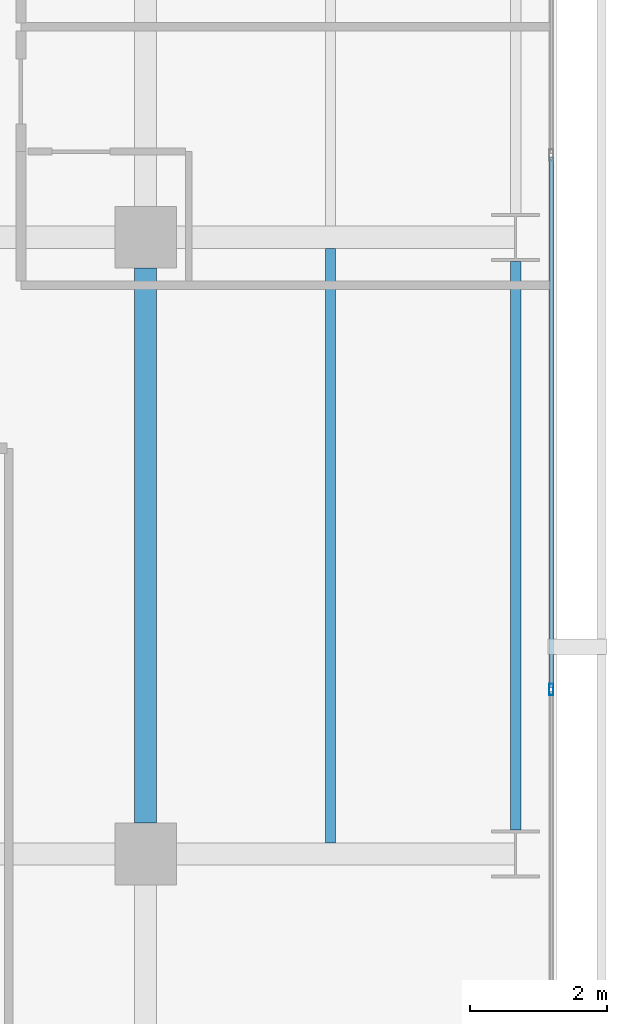
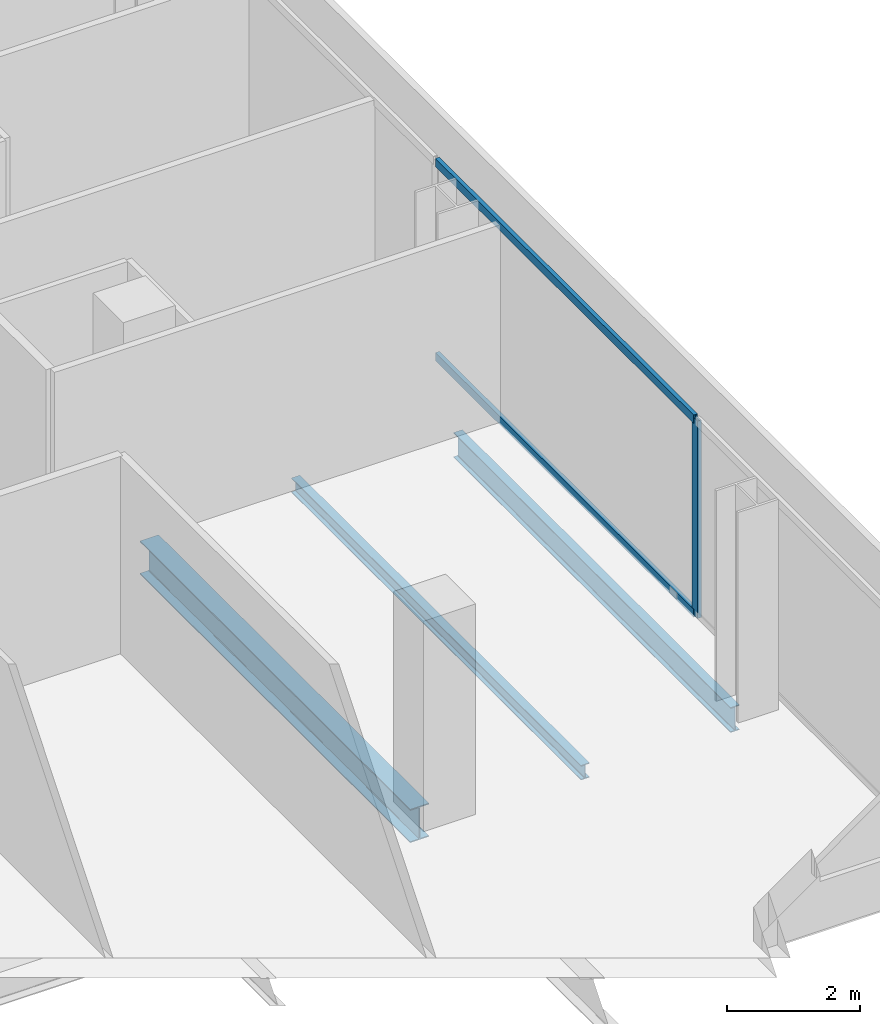
# One storey, part 17 of 40: 3 beams, 3 members, 1 element without a shape of its own.
"""IFC4 building model written with IfcOpenShell, lengths in metres."""

from ifc_helpers import new_model, si_unit, direction, frame, origin, origin_2d, place, context, subcontext, project, spatial, hollow_rectangle, i_section, extrude, material, layer, layer_set, material_profile, profile_set, type_object, element, aggregate, save


model = new_model("IFC4")

# Units and contexts
model_context = context("Model", 3, precision=1e-05, world=origin(), true_north=direction((0.0, 1.0)))
body_context = subcontext(model_context, "Body", "Model", "MODEL_VIEW")
ifc_project = project(units=[si_unit("LENGTHUNIT", "METRE"), si_unit("AREAUNIT", "SQUARE_METRE"), si_unit("VOLUMEUNIT", "CUBIC_METRE"), si_unit("PLANEANGLEUNIT", "RADIAN"), si_unit("MASSUNIT", "GRAM", prefix="KILO")], contexts=[model_context])

# Site, building, storey
site_placement = place(None, origin())
site = spatial("IfcSite", under=ifc_project, at=site_placement, CompositionType="ELEMENT")
building_placement = place(site_placement, origin())
building = spatial("IfcBuilding", under=site, at=building_placement, Name="Maruvema Waterfront Hotel and Observation Tower", CompositionType="ELEMENT")
storey_placement = place(building_placement, frame((0.0, 0.0, 103.949951171875)))
storey = spatial("IfcBuildingStorey", under=building, at=storey_placement, Name="L25", CompositionType="ELEMENT", Elevation=103.949951171875)

# Curtain wall, members
ifc_material_1 = material(Name="Anodised bronze aluminium and solar-control low-E IGU", Category="aluminium")
ifc_layer = layer(ifc_material_1, 0.159912109375, Name="Zone 1 Bronze Inner Thermal Curtain Wall System CW-02")
ifc_layer_set = layer_set([ifc_layer], Name="Anodised bronze aluminium and solar-control low-E IGU")
curtain_wall_type = type_object("IfcCurtainWallType", Name="Zone 1 Bronze Inner Thermal Curtain Wall System CW-02", PredefinedType="USERDEFINED", material=ifc_layer_set)
curtain_wall_placement = place(storey_placement, origin())
curtain_wall = element("IfcCurtainWall", 1, at=curtain_wall_placement, inside=storey, type_object=curtain_wall_type, Name="L25 Curtain Wall CW-L25-E", ObjectType="UNITISED CURTAIN WALL", PredefinedType="USERDEFINED")
ifc_material_2 = material(Name="Anodised architectural bronze aluminium", Category="aluminium")
ifc_material_profile_1 = material_profile(ifc_material_2, hollow_rectangle(XDim=0.070068359375, YDim=0.14990234375, WallThickness=0.00390625, at=origin_2d()), Name="ALU-T70x150")
ifc_profile_set_1 = profile_set([ifc_material_profile_1], Name="Anodised architectural bronze aluminium")
member_type_1 = type_object("IfcMemberType", Name="Curtain Wall Horizontal Transom ALU-T70x150", PredefinedType="USERDEFINED", material=ifc_profile_set_1)
member_1_placement = place(storey_placement, frame((64.719970703125, 11.429931640625, 0.030029296875), z_axis=(0.0, 1.0, 0.0), x_axis=(-1.0, 0.0, 0.0)))
member_1 = element("IfcMember", 2, at=member_1_placement, type_object=member_type_1, Name="CW-02 transom 2.1", ObjectType="TRANSOM", PredefinedType="USERDEFINED", context=body_context, shape_type="SweptSolid", body=[
    extrude(hollow_rectangle(XDim=0.070068359375, YDim=0.14990234375, WallThickness=0.00390625, at=origin_2d()), origin(), (0.0, 0.0, 1.0), 7.739990234375),
])
member_2_placement = place(storey_placement, frame((64.719970703125, 11.429931640625, 3.580078125), z_axis=(0.0, 1.0, 0.0), x_axis=(-1.0, 0.0, 0.0)))
member_2 = element("IfcMember", 3, at=member_2_placement, type_object=member_type_1, Name="CW-02 transom 2.2", ObjectType="TRANSOM", PredefinedType="USERDEFINED", context=body_context, shape_type="SweptSolid", body=[
    extrude(hollow_rectangle(XDim=0.070068359375, YDim=0.14990234375, WallThickness=0.00390625, at=origin_2d()), origin(), (0.0, 0.0, 1.0), 7.739990234375),
])
ifc_material_3 = material(Name="Anodised architectural bronze aluminium", Category="aluminium")
ifc_material_profile_2 = material_profile(ifc_material_3, hollow_rectangle(XDim=0.06494140625, YDim=0.1650390625, WallThickness=0.00390625, at=origin_2d()), Name="ALU-M65x165")
ifc_profile_set_2 = profile_set([ifc_material_profile_2], Name="Anodised architectural bronze aluminium")
member_type_2 = type_object("IfcMemberType", Name="Curtain Wall Primary Mullion ALU-M65x165", PredefinedType="MULLION", material=ifc_profile_set_2)
member_3_placement = place(storey_placement, frame((64.719970703125, 11.39990234375, 0.0), z_axis=(0.0, 0.0, 1.0), x_axis=(-1.0, 0.0, 0.0)))
member_3 = element("IfcMember", 4, at=member_3_placement, type_object=member_type_2, Name="CW-02 mullion 2", PredefinedType="MULLION", context=body_context, shape_type="SweptSolid", body=[
    extrude(hollow_rectangle(XDim=0.06494140625, YDim=0.1650390625, WallThickness=0.00390625, at=origin_2d()), origin(), (0.0, 0.0, 1.0), 3.610107421875),
])
aggregate(curtain_wall, [member_3, member_1, member_2])

# Beams
ifc_material_4 = material(Name="Steel ASTM A572 Grade 50", Category="steel")
ifc_material_profile_3 = material_profile(ifc_material_4, i_section(OverallWidth=0.153076171875, OverallDepth=0.455078125, WebThickness=0.008056640625, FlangeThickness=0.01318359375, FilletRadius=0.014892578125, at=origin_2d()), Name="W460x60.0")
ifc_profile_set_3 = profile_set([ifc_material_profile_3], Name="Steel ASTM A572 Grade 50")
beam_type_1 = type_object("IfcBeamType", Name="Perimeter Spandrel Beam W460x60.0", PredefinedType="SPANDREL", material=ifc_profile_set_3)
beam_1_placement = place(storey_placement, frame((64.199951171875, 9.35009765625, -0.467529296875), z_axis=(0.0, 1.0, 0.0), x_axis=(-1.0, 0.0, 0.0)))
element("IfcBeam", 5, at=beam_1_placement, inside=storey, type_object=beam_type_1, Name="L25 Floor Girder NS-33", PredefinedType="SPANDREL", context=body_context, shape_type="SweptSolid", body=[
    extrude(i_section(OverallWidth=0.153076171875, OverallDepth=0.455078125, WebThickness=0.008056640625, FlangeThickness=0.01318359375, FilletRadius=0.014892578125, at=origin_2d()), origin(), (0.0, 0.0, 1.0), 8.2998046875),
])
ifc_material_5 = material(Name="Steel ASTM A572 Grade 50", Category="steel")
ifc_material_profile_4 = material_profile(ifc_material_5, i_section(OverallWidth=0.323974609375, OverallDepth=0.611083984375, WebThickness=0.0126953125, FlangeThickness=0.01904296875, FilletRadius=0.01806640625, at=origin_2d()), Name="W610x155.0")
ifc_profile_set_4 = profile_set([ifc_material_profile_4], Name="Steel ASTM A572 Grade 50")
beam_type_2 = type_object("IfcBeamType", Name="Primary Floor Girder W610x155.0", PredefinedType="BEAM", material=ifc_profile_set_4)
beam_2_placement = place(storey_placement, frame((58.800048828125, 9.449951171875, -0.54541015625), z_axis=(0.0, 1.0, 0.0), x_axis=(-1.0, 0.0, 0.0)))
element("IfcBeam", 6, at=beam_2_placement, inside=storey, type_object=beam_type_2, Name="L25 Floor Girder NS-28", PredefinedType="BEAM", context=body_context, shape_type="SweptSolid", body=[
    extrude(i_section(OverallWidth=0.323974609375, OverallDepth=0.611083984375, WebThickness=0.0126953125, FlangeThickness=0.01904296875, FilletRadius=0.01806640625, at=origin_2d()), origin(), (0.0, 0.0, 1.0), 8.10009765625),
])
ifc_material_6 = material(Name="Steel ASTM A572 Grade 50", Category="steel")
ifc_material_profile_5 = material_profile(ifc_material_6, i_section(OverallWidth=0.14794921875, OverallDepth=0.26611328125, WebThickness=0.007568359375, FlangeThickness=0.012939453125, FilletRadius=0.012939453125, at=origin_2d()), Name="W250x44.8")
ifc_profile_set_5 = profile_set([ifc_material_profile_5], Name="Steel ASTM A572 Grade 50")
beam_type_3 = type_object("IfcBeamType", Name="Secondary Floor Joist W250x44.8", PredefinedType="JOIST", material=ifc_profile_set_5)
beam_3_placement = place(storey_placement, frame((61.5, 9.162109375, -0.373046875), z_axis=(0.0, 1.0, 0.0), x_axis=(-1.0, 0.0, 0.0)))
element("IfcBeam", 7, at=beam_3_placement, inside=storey, type_object=beam_type_3, Name="L25 Secondary Floor Joist JS-21", PredefinedType="JOIST", context=body_context, shape_type="SweptSolid", body=[
    extrude(i_section(OverallWidth=0.14794921875, OverallDepth=0.26611328125, WebThickness=0.007568359375, FlangeThickness=0.012939453125, FilletRadius=0.012939453125, at=origin_2d()), origin(), (0.0, 0.0, 1.0), 8.67578125),
])

save(model, "model.ifc")
